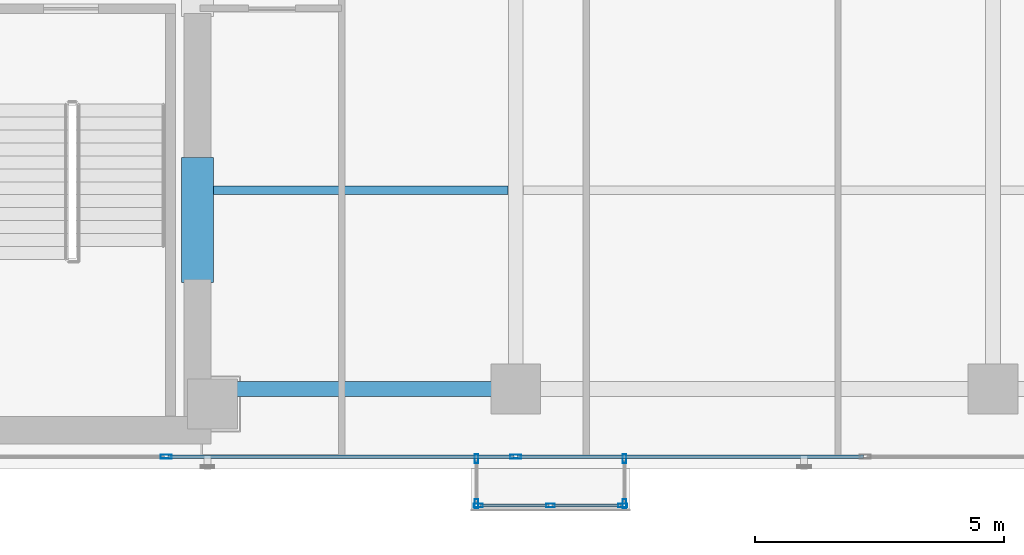
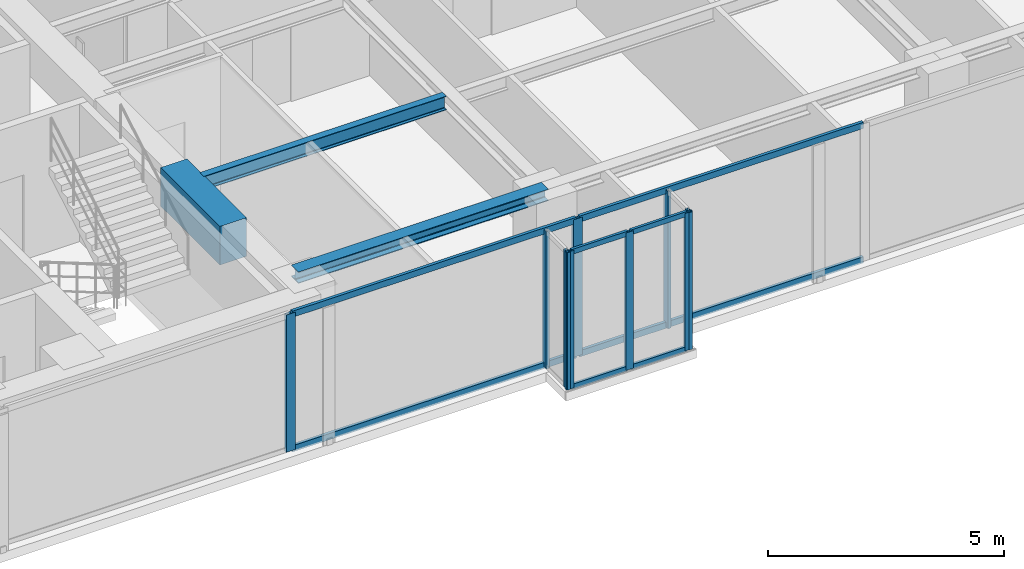
# One storey, part 4 of 23: 17 members, 3 beams, 4 elements without a shape of their own.
"""IFC4 building model written with IfcOpenShell, lengths in metres."""

from ifc_helpers import new_model, si_unit, direction, frame, origin, origin_with_axes, origin_2d, place, context, subcontext, project, spatial, rectangle, hollow_rectangle, i_section, extrude, source, transform, mapped, material, layer, layer_set, material_profile, profile_set, type_object, element, aggregate, save


model = new_model("IFC4")

# Units and contexts
model_context = context("Model", 3, precision=1e-05, world=origin(), true_north=direction((0.0, 1.0)))
body_context = subcontext(model_context, "Body", "Model", "MODEL_VIEW")
ifc_project = project(units=[si_unit("LENGTHUNIT", "METRE"), si_unit("AREAUNIT", "SQUARE_METRE"), si_unit("VOLUMEUNIT", "CUBIC_METRE"), si_unit("PLANEANGLEUNIT", "RADIAN"), si_unit("MASSUNIT", "GRAM", prefix="KILO")], contexts=[model_context])

# Site, building, storey
site_placement = place(None, origin())
site = spatial("IfcSite", under=ifc_project, at=site_placement, CompositionType="ELEMENT")
building_placement = place(site_placement, origin())
building = spatial("IfcBuilding", under=site, at=building_placement, Name="Kolvaren Waterfront Exchange", CompositionType="ELEMENT")
storey_placement = place(building_placement, frame((0.0, 0.0, 215.89990234375)))
storey = spatial("IfcBuildingStorey", under=building, at=storey_placement, Name="L55", CompositionType="ELEMENT", Elevation=215.89990234375)

# Beams
ifc_material_1 = material(Name="Steel S355", Category="steel")
ifc_material_profile_1 = material_profile(ifc_material_1, i_section(OverallWidth=0.300048828125, OverallDepth=0.300048828125, WebThickness=0.010986328125, FlangeThickness=0.01904296875, FilletRadius=0.027099609375, at=origin_2d()), Name="HEB300")
ifc_profile_set_1 = profile_set([ifc_material_profile_1], Name="Steel S355")
beam_type_1 = type_object("IfcBeamType", Name="STR-BM-HEB300", PredefinedType="SPANDREL", material=ifc_profile_set_1)
beam_1_placement = place(storey_placement, frame((21.074951171875, 5.199951171875, 3.41015625), z_axis=(1.0, 0.0, 0.0), x_axis=(0.0, 1.0, 0.0)))
element("IfcBeam", 1, at=beam_1_placement, inside=storey, type_object=beam_type_1, Name="L55 east-arm spandrel S1", PredefinedType="SPANDREL", context=body_context, shape_type="SweptSolid", body=[
    extrude(i_section(OverallWidth=0.300048828125, OverallDepth=0.300048828125, WebThickness=0.010986328125, FlangeThickness=0.01904296875, FilletRadius=0.027099609375, at=origin_2d()), origin(), (0.0, 0.0, 1.0), 6.125),
])
ifc_material_profile_2 = material_profile(ifc_material_1, i_section(OverallWidth=0.169921875, OverallDepth=0.360107421875, WebThickness=0.008056640625, FlangeThickness=0.0126953125, FilletRadius=0.01806640625, at=origin_2d()), Name="IPE360")
ifc_profile_set_2 = profile_set([ifc_material_profile_2], Name="Steel S355")
beam_type_2 = type_object("IfcBeamType", Name="STR-BM-IPE360", PredefinedType="JOIST", material=ifc_profile_set_2)
beam_2_placement = place(storey_placement, frame((21.10009765625, 9.199951171875, 3.380126953125), z_axis=(1.0, 0.0, 0.0), x_axis=(0.0, 1.0, 0.0)))
element("IfcBeam", 2, at=beam_2_placement, inside=storey, type_object=beam_type_2, Name="L55 east-arm composite joist 1B", PredefinedType="JOIST", context=body_context, shape_type="SweptSolid", body=[
    extrude(i_section(OverallWidth=0.169921875, OverallDepth=0.360107421875, WebThickness=0.008056640625, FlangeThickness=0.0126953125, FilletRadius=0.01806640625, at=origin_2d()), origin(), (0.0, 0.0, 1.0), 5.947998046875),
])
ifc_material_2 = material(Name="Concrete C60/75", Category="concrete")
ifc_material_profile_3 = material_profile(ifc_material_2, rectangle(XDim=0.64990234375, YDim=1.0, at=origin_2d()), Name="RC-CB-1000x650")
ifc_profile_set_3 = profile_set([ifc_material_profile_3], Name="Concrete C60/75")
beam_type_3 = type_object("IfcBeamType", Name="STR-CB-1000", PredefinedType="SPANDREL", material=ifc_profile_set_3)
beam_3_placement = place(storey_placement, frame((20.800048828125, 7.340087890625, 3.06005859375), z_axis=(0.0, 1.0, 0.0), x_axis=(-1.0, 0.0, 0.0)))
element("IfcBeam", 3, at=beam_3_placement, inside=storey, type_object=beam_type_3, Name="L55 core coupling beam 1", PredefinedType="SPANDREL", context=body_context, shape_type="SweptSolid", body=[
    extrude(rectangle(XDim=0.64990234375, YDim=1.0, at=origin_2d()), origin(), (0.0, 0.0, 1.0), 2.52001953125),
])

# Curtain wall, members
ifc_material_3 = material(Name="Anodised bronze aluminium 6063-T6", Category="aluminium")
ifc_layer_1 = layer(ifc_material_3, 0.219970703125, Name="Anodised bronze aluminium 6063-T6")
ifc_layer_set_1 = layer_set([ifc_layer_1], Name="Anodised bronze aluminium 6063-T6")
curtain_wall_type_1 = type_object("IfcCurtainWallType", Name="ARC-CW-SYS3", PredefinedType="USERDEFINED", material=ifc_layer_set_1)
curtain_wall_1_placement = place(storey_placement, origin())
curtain_wall_1 = element("IfcCurtainWall", 4, at=curtain_wall_1_placement, inside=storey, type_object=curtain_wall_type_1, Name="L55 stick curtain wall CW3 (CW-L55-BOX)", ObjectType="STICK CURTAIN WALL", PredefinedType="USERDEFINED")
ifc_material_profile_4 = material_profile(ifc_material_3, hollow_rectangle(XDim=0.06494140625, YDim=0.1298828125, WallThickness=0.00390625, at=origin_2d()), Name="ALU-TRN-130x65x4")
ifc_profile_set_4 = profile_set([ifc_material_profile_4], Name="Anodised bronze aluminium 6063-T6")
member_type_1 = type_object("IfcMemberType", Name="ARC-CWT-130", PredefinedType="USERDEFINED", material=ifc_profile_set_4)
shared_shape_1 = source(origin_with_axes(), body_context, "Body", "SweptSolid", [
    extrude(hollow_rectangle(XDim=0.06494140625, YDim=0.1298828125, WallThickness=0.00390625, at=origin_2d()), origin(), (0.0, 0.0, 1.0), 1.37744140625),
])
member_1_placement = place(storey_placement, frame((26.485107421875, 2.860107421875, 0.03271484375), z_axis=(1.0, 0.0, 0.0), x_axis=(0.0, 1.0, 0.0)))
member_1 = element("IfcMember", 5, at=member_1_placement, type_object=member_type_1, Name="CW3 transom 1.1", ObjectType="TRANSOM", PredefinedType="USERDEFINED", context=body_context, shape_type="MappedRepresentation", body=[
    mapped(shared_shape_1, transform((0.0, 0.0, 0.0), x_axis=(1.0, 0.0, 0.0), y_axis=(0.0, 1.0, 0.0), z_axis=(0.0, 0.0, 1.0), scale=1.0)),
])
member_2_placement = place(storey_placement, frame((26.485107421875, 2.860107421875, 3.527587890625), z_axis=(1.0, 0.0, 0.0), x_axis=(0.0, 1.0, 0.0)))
member_2 = element("IfcMember", 6, at=member_2_placement, type_object=member_type_1, Name="CW3 transom 1.2", ObjectType="TRANSOM", PredefinedType="USERDEFINED", context=body_context, shape_type="MappedRepresentation", body=[
    mapped(shared_shape_1, transform((0.0, 0.0, 0.0), x_axis=(1.0, 0.0, 0.0), y_axis=(0.0, 1.0, 0.0), z_axis=(0.0, 0.0, 1.0), scale=1.0)),
])
member_3_placement = place(storey_placement, frame((27.9375, 2.860107421875, 0.03271484375), z_axis=(1.0, 0.0, 0.0), x_axis=(0.0, 1.0, 0.0)))
member_3 = element("IfcMember", 7, at=member_3_placement, type_object=member_type_1, Name="CW3 transom 2.1", ObjectType="TRANSOM", PredefinedType="USERDEFINED", context=body_context, shape_type="MappedRepresentation", body=[
    mapped(shared_shape_1, transform((0.0, 0.0, 0.0), x_axis=(1.0, 0.0, 0.0), y_axis=(0.0, 1.0, 0.0), z_axis=(0.0, 0.0, 1.0), scale=1.0)),
])
member_4_placement = place(storey_placement, frame((27.9375, 2.860107421875, 3.527587890625), z_axis=(1.0, 0.0, 0.0), x_axis=(0.0, 1.0, 0.0)))
member_4 = element("IfcMember", 8, at=member_4_placement, type_object=member_type_1, Name="CW3 transom 2.2", ObjectType="TRANSOM", PredefinedType="USERDEFINED", context=body_context, shape_type="MappedRepresentation", body=[
    mapped(shared_shape_1, transform((0.0, 0.0, 0.0), x_axis=(1.0, 0.0, 0.0), y_axis=(0.0, 1.0, 0.0), z_axis=(0.0, 0.0, 1.0), scale=1.0)),
])

curtain_wall_2_placement = place(storey_placement, origin())
curtain_wall_2 = element("IfcCurtainWall", 9, at=curtain_wall_2_placement, inside=storey, type_object=curtain_wall_type_1, Name="L55 stick curtain wall CW3 (CW-L55-BOX-W)", ObjectType="STICK CURTAIN WALL", PredefinedType="USERDEFINED")
ifc_material_profile_5 = material_profile(ifc_material_3, hollow_rectangle(XDim=0.074951171875, YDim=0.179931640625, WallThickness=0.00439453125, at=origin_2d()), Name="ALU-MUL-180x75x4.5")
ifc_profile_set_5 = profile_set([ifc_material_profile_5], Name="Anodised bronze aluminium 6063-T6")
member_type_2 = type_object("IfcMemberType", Name="ARC-CWM-180", PredefinedType="MULLION", material=ifc_profile_set_5)
shared_shape_2 = source(origin_with_axes(), body_context, "Body", "SweptSolid", [
    extrude(hollow_rectangle(XDim=0.074951171875, YDim=0.179931640625, WallThickness=0.00439453125, at=origin_2d()), origin(), (0.0, 0.0, 1.0), 3.56005859375),
])
member_5_placement = place(storey_placement, frame((26.409912109375, 3.802490234375, 0.0), z_axis=(0.0, 0.0, 1.0), x_axis=(1.0, 0.0, 0.0)))
member_5 = element("IfcMember", 10, at=member_5_placement, type_object=member_type_2, Name="CW3 mullion 1", PredefinedType="MULLION", context=body_context, shape_type="MappedRepresentation", body=[
    mapped(shared_shape_2, transform((0.0, 0.0, 0.0), x_axis=(1.0, 0.0, 0.0), y_axis=(0.0, 1.0, 0.0), z_axis=(0.0, 0.0, 1.0), scale=1.0)),
])
member_6_placement = place(storey_placement, frame((26.409912109375, 2.8974609375, 0.0), z_axis=(0.0, 0.0, 1.0), x_axis=(1.0, 0.0, 0.0)))
member_6 = element("IfcMember", 11, at=member_6_placement, type_object=member_type_2, Name="CW3 mullion 2", PredefinedType="MULLION", context=body_context, shape_type="MappedRepresentation", body=[
    mapped(shared_shape_2, transform((0.0, 0.0, 0.0), x_axis=(1.0, 0.0, 0.0), y_axis=(0.0, 1.0, 0.0), z_axis=(0.0, 0.0, 1.0), scale=1.0)),
])
aggregate(curtain_wall_2, [member_5, member_6])

# Member
member_7_placement = place(storey_placement, frame((26.447509765625, 2.860107421875, 0.0), z_axis=(0.0, 0.0, 1.0), x_axis=(0.0, 1.0, 0.0)))
member_7 = element("IfcMember", 12, at=member_7_placement, type_object=member_type_2, Name="CW3 mullion 1", PredefinedType="MULLION", context=body_context, shape_type="MappedRepresentation", body=[
    mapped(shared_shape_2, transform((0.0, 0.0, 0.0), x_axis=(1.0, 0.0, 0.0), y_axis=(0.0, 1.0, 0.0), z_axis=(0.0, 0.0, 1.0), scale=1.0)),
])

member_8_placement = place(storey_placement, frame((27.89990234375, 2.860107421875, 0.0), z_axis=(0.0, 0.0, 1.0), x_axis=(0.0, 1.0, 0.0)))
member_8 = element("IfcMember", 13, at=member_8_placement, type_object=member_type_2, Name="CW3 mullion 2", PredefinedType="MULLION", context=body_context, shape_type="MappedRepresentation", body=[
    mapped(shared_shape_2, transform((0.0, 0.0, 0.0), x_axis=(1.0, 0.0, 0.0), y_axis=(0.0, 1.0, 0.0), z_axis=(0.0, 0.0, 1.0), scale=1.0)),
])

member_9_placement = place(storey_placement, frame((29.3525390625, 2.860107421875, 0.0), z_axis=(0.0, 0.0, 1.0), x_axis=(0.0, 1.0, 0.0)))
member_9 = element("IfcMember", 14, at=member_9_placement, type_object=member_type_2, Name="CW3 mullion 3", PredefinedType="MULLION", context=body_context, shape_type="MappedRepresentation", body=[
    mapped(shared_shape_2, transform((0.0, 0.0, 0.0), x_axis=(1.0, 0.0, 0.0), y_axis=(0.0, 1.0, 0.0), z_axis=(0.0, 0.0, 1.0), scale=1.0)),
])

aggregate(curtain_wall_1, [member_7, member_8, member_9, member_1, member_2, member_3, member_4])

# Curtain wall, members
curtain_wall_3_placement = place(storey_placement, origin())
curtain_wall_3 = element("IfcCurtainWall", 15, at=curtain_wall_3_placement, inside=storey, type_object=curtain_wall_type_1, Name="L55 stick curtain wall CW3 (CW-L55-BOX-E)", ObjectType="STICK CURTAIN WALL", PredefinedType="USERDEFINED")
member_10_placement = place(storey_placement, frame((29.389892578125, 2.8974609375, 0.0), z_axis=(0.0, 0.0, 1.0), x_axis=(-1.0, 0.0, 0.0)))
member_10 = element("IfcMember", 16, at=member_10_placement, type_object=member_type_2, Name="CW3 mullion 1", PredefinedType="MULLION", context=body_context, shape_type="MappedRepresentation", body=[
    mapped(shared_shape_2, transform((0.0, 0.0, 0.0), x_axis=(1.0, 0.0, 0.0), y_axis=(0.0, 1.0, 0.0), z_axis=(0.0, 0.0, 1.0), scale=1.0)),
])
member_11_placement = place(storey_placement, frame((29.389892578125, 3.802490234375, 0.0), z_axis=(0.0, 0.0, 1.0), x_axis=(-1.0, 0.0, 0.0)))
member_11 = element("IfcMember", 17, at=member_11_placement, type_object=member_type_2, Name="CW3 mullion 2", PredefinedType="MULLION", context=body_context, shape_type="MappedRepresentation", body=[
    mapped(shared_shape_2, transform((0.0, 0.0, 0.0), x_axis=(1.0, 0.0, 0.0), y_axis=(0.0, 1.0, 0.0), z_axis=(0.0, 0.0, 1.0), scale=1.0)),
])
aggregate(curtain_wall_3, [member_10, member_11])

ifc_layer_2 = layer(ifc_material_3, 0.219970703125, Name="Anodised bronze aluminium 6063-T6")
ifc_layer_set_2 = layer_set([ifc_layer_2], Name="Anodised bronze aluminium 6063-T6")
curtain_wall_type_2 = type_object("IfcCurtainWallType", Name="ARC-CW-SYS1", PredefinedType="USERDEFINED", material=ifc_layer_set_2)
curtain_wall_4_placement = place(storey_placement, origin())
curtain_wall_4 = element("IfcCurtainWall", 18, at=curtain_wall_4_placement, inside=storey, type_object=curtain_wall_type_2, Name="L55 stick curtain wall CW1 (CW-L55-S)", ObjectType="STICK CURTAIN WALL", PredefinedType="USERDEFINED")
ifc_material_4 = material(Name="Anodised aluminium 6063-T6", Category="aluminium")
ifc_material_profile_6 = material_profile(ifc_material_4, hollow_rectangle(XDim=0.080078125, YDim=0.219970703125, WallThickness=0.0048828125, at=origin_2d()), Name="ALU-MUL-220x80x5")
ifc_profile_set_6 = profile_set([ifc_material_profile_6], Name="Anodised aluminium 6063-T6")
member_type_3 = type_object("IfcMemberType", Name="ARC-CWM-220", PredefinedType="MULLION", material=ifc_profile_set_6)
shared_shape_3 = source(origin_with_axes(), body_context, "Body", "SweptSolid", [
    extrude(hollow_rectangle(XDim=0.080078125, YDim=0.219970703125, WallThickness=0.0048828125, at=origin_2d()), origin(), (0.0, 0.0, 1.0), 3.56005859375),
])
member_12_placement = place(storey_placement, frame((20.166748046875, 3.840087890625, 0.0), z_axis=(0.0, 0.0, 1.0), x_axis=(0.0, 1.0, 0.0)))
member_12 = element("IfcMember", 19, at=member_12_placement, type_object=member_type_3, Name="CW1 mullion 3", PredefinedType="MULLION", context=body_context, shape_type="MappedRepresentation", body=[
    mapped(shared_shape_3, transform((0.0, 0.0, 0.0), x_axis=(1.0, 0.0, 0.0), y_axis=(0.0, 1.0, 0.0), z_axis=(0.0, 0.0, 1.0), scale=1.0)),
])
member_13_placement = place(storey_placement, frame((27.199951171875, 3.840087890625, 0.0), z_axis=(0.0, 0.0, 1.0), x_axis=(0.0, 1.0, 0.0)))
member_13 = element("IfcMember", 20, at=member_13_placement, type_object=member_type_3, Name="CW1 mullion 4", PredefinedType="MULLION", context=body_context, shape_type="MappedRepresentation", body=[
    mapped(shared_shape_3, transform((0.0, 0.0, 0.0), x_axis=(1.0, 0.0, 0.0), y_axis=(0.0, 1.0, 0.0), z_axis=(0.0, 0.0, 1.0), scale=1.0)),
])
ifc_material_profile_7 = material_profile(ifc_material_4, hollow_rectangle(XDim=0.074951171875, YDim=0.159912109375, WallThickness=0.00439453125, at=origin_2d()), Name="ALU-TRN-160x75x4.5")
ifc_profile_set_7 = profile_set([ifc_material_profile_7], Name="Anodised aluminium 6063-T6")
member_type_4 = type_object("IfcMemberType", Name="ARC-CWT-160", PredefinedType="USERDEFINED", material=ifc_profile_set_7)
shared_shape_4 = source(origin_with_axes(), body_context, "Body", "SweptSolid", [
    extrude(hollow_rectangle(XDim=0.074951171875, YDim=0.159912109375, WallThickness=0.00439453125, at=origin_2d()), origin(), (0.0, 0.0, 1.0), 6.953369140625),
])
member_14_placement = place(storey_placement, frame((27.239990234375, 3.840087890625, 0.03759765625), z_axis=(1.0, 0.0, 0.0), x_axis=(0.0, 1.0, 0.0)))
member_14 = element("IfcMember", 21, at=member_14_placement, type_object=member_type_4, Name="CW1 transom 4.1", ObjectType="TRANSOM", PredefinedType="USERDEFINED", context=body_context, shape_type="MappedRepresentation", body=[
    mapped(shared_shape_4, transform((0.0, 0.0, 0.0), x_axis=(1.0, 0.0, 0.0), y_axis=(0.0, 1.0, 0.0), z_axis=(0.0, 0.0, 1.0), scale=1.0)),
])
member_15_placement = place(storey_placement, frame((27.239990234375, 3.840087890625, 3.522705078125), z_axis=(1.0, 0.0, 0.0), x_axis=(0.0, 1.0, 0.0)))
member_15 = element("IfcMember", 22, at=member_15_placement, type_object=member_type_4, Name="CW1 transom 4.2", ObjectType="TRANSOM", PredefinedType="USERDEFINED", context=body_context, shape_type="MappedRepresentation", body=[
    mapped(shared_shape_4, transform((0.0, 0.0, 0.0), x_axis=(1.0, 0.0, 0.0), y_axis=(0.0, 1.0, 0.0), z_axis=(0.0, 0.0, 1.0), scale=1.0)),
])
shared_shape_5 = source(origin_with_axes(), body_context, "Body", "SweptSolid", [
    extrude(hollow_rectangle(XDim=0.074951171875, YDim=0.159912109375, WallThickness=0.00439453125, at=origin_2d()), origin(), (0.0, 0.0, 1.0), 6.953125),
])
member_16_placement = place(storey_placement, frame((20.206787109375, 3.840087890625, 0.03759765625), z_axis=(1.0, 0.0, 0.0), x_axis=(0.0, 1.0, 0.0)))
member_16 = element("IfcMember", 23, at=member_16_placement, type_object=member_type_4, Name="CW1 transom 3.1", ObjectType="TRANSOM", PredefinedType="USERDEFINED", context=body_context, shape_type="MappedRepresentation", body=[
    mapped(shared_shape_5, transform((0.0, 0.0, 0.0), x_axis=(1.0, 0.0, 0.0), y_axis=(0.0, 1.0, 0.0), z_axis=(0.0, 0.0, 1.0), scale=1.0)),
])
member_17_placement = place(storey_placement, frame((20.206787109375, 3.840087890625, 3.522705078125), z_axis=(1.0, 0.0, 0.0), x_axis=(0.0, 1.0, 0.0)))
member_17 = element("IfcMember", 24, at=member_17_placement, type_object=member_type_4, Name="CW1 transom 3.2", ObjectType="TRANSOM", PredefinedType="USERDEFINED", context=body_context, shape_type="MappedRepresentation", body=[
    mapped(shared_shape_5, transform((0.0, 0.0, 0.0), x_axis=(1.0, 0.0, 0.0), y_axis=(0.0, 1.0, 0.0), z_axis=(0.0, 0.0, 1.0), scale=1.0)),
])
aggregate(curtain_wall_4, [member_12, member_13, member_16, member_17, member_14, member_15])

save(model, "model.ifc")
